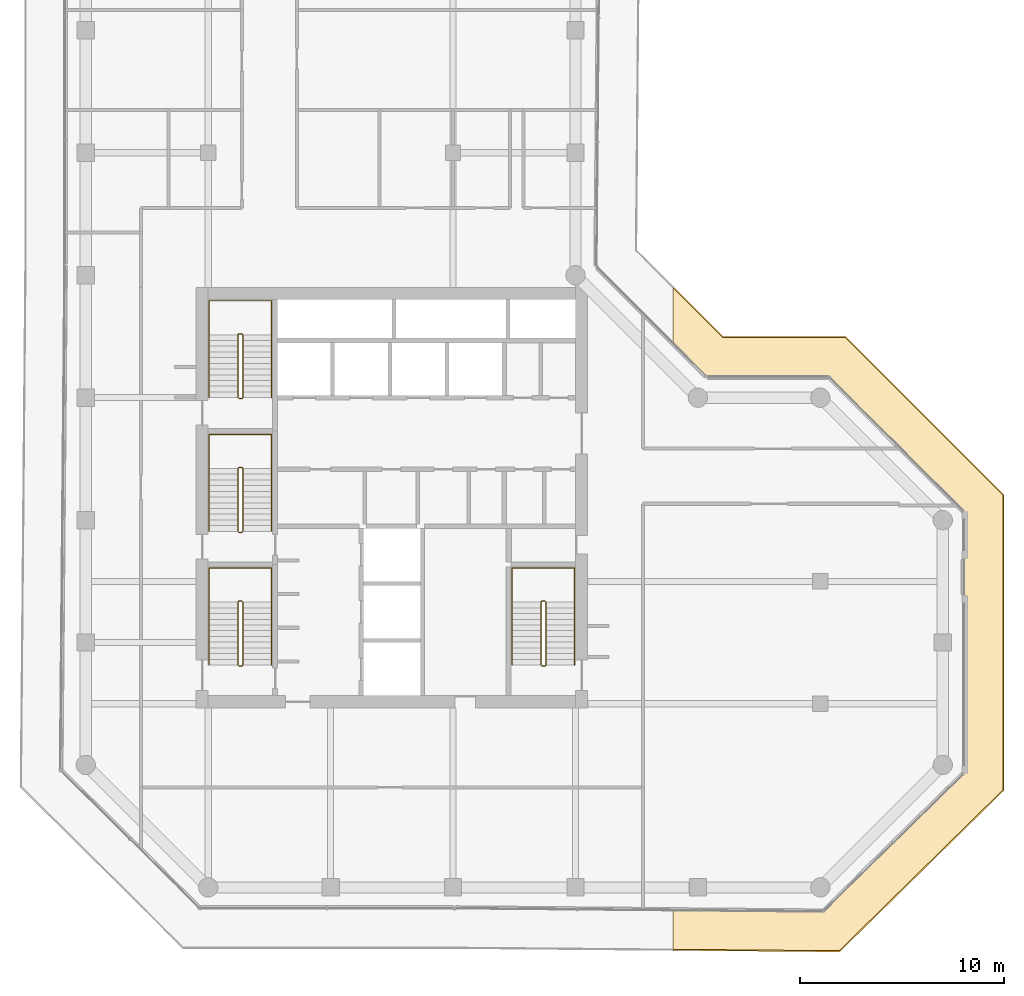
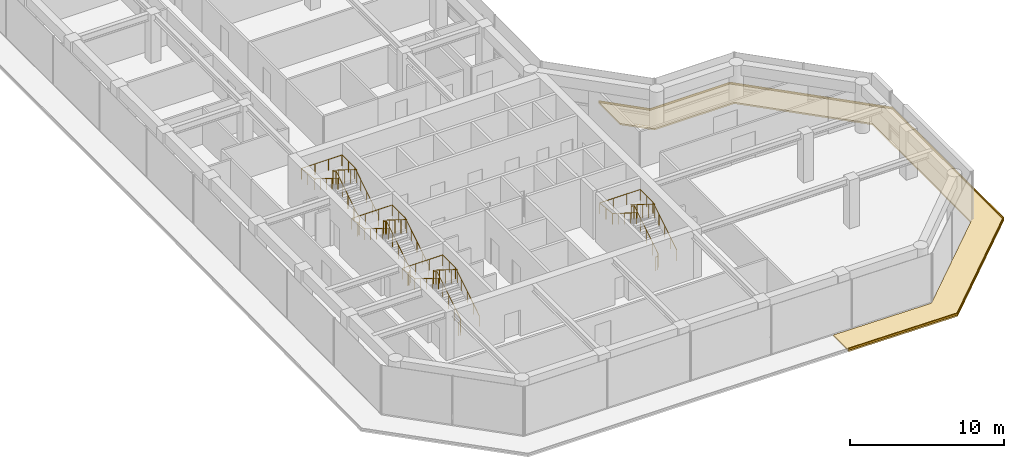
# One storey, part 18 of 19: 8 railings, 2 coverings.
"""IFC4 building model written with IfcOpenShell, lengths in metres."""

from ifc_helpers import new_model, si_unit, direction, frame, origin, origin_2d, place, context, subcontext, project, spatial, polyline, circle, outline, extrude, material, layer, layer_set, type_object, element, save


model = new_model("IFC4")

# Units and contexts
model_context = context("Model", 3, precision=1e-05, world=origin(), true_north=direction((0.0, 1.0)))
body_context = subcontext(model_context, "Body", "Model", "MODEL_VIEW")
ifc_project = project(units=[si_unit("LENGTHUNIT", "METRE"), si_unit("AREAUNIT", "SQUARE_METRE"), si_unit("VOLUMEUNIT", "CUBIC_METRE"), si_unit("PLANEANGLEUNIT", "RADIAN"), si_unit("MASSUNIT", "GRAM", prefix="KILO")], contexts=[model_context])

# Site, building, storey
site_placement = place(None, origin())
site = spatial("IfcSite", under=ifc_project, at=site_placement, CompositionType="ELEMENT")
building_placement = place(site_placement, origin())
building = spatial("IfcBuilding", under=site, at=building_placement, Name="Welwitschia Terrace Campus", CompositionType="ELEMENT")
storey_placement = place(building_placement, frame((0.0, 0.0, 167.60009765625)))
storey = spatial("IfcBuildingStorey", under=building, at=storey_placement, Name="L37", CompositionType="ELEMENT", Elevation=167.60009765625)

# Railings
ifc_material_1 = material(Name="Steel S355", Category="steel")
railing_type_1 = type_object("IfcRailingType", Name="Stair guard 1100", PredefinedType="GUARDRAIL", material=ifc_material_1)
railing_1_placement = place(storey_placement, frame((7.5, 6.85009765625, 0.0)))
element("IfcRailing", 1, at=railing_1_placement, inside=storey, type_object=railing_type_1, Name="L37 S1 stair guard", PredefinedType="GUARDRAIL", context=body_context, shape_type="SweptSolid", body=[
    extrude(circle(Radius=0.02392578125, at=origin_2d()), frame((0.0, 0.0, 1.076171875), z_axis=(1.0, 0.0, 0.0), x_axis=(0.0, 1.0, 0.0)), (0.0, 0.0, 1.0), 0.14990234375),
    extrude(circle(Radius=0.02392578125, at=origin_2d()), frame((0.14990234375, 0.0, 1.076171875), z_axis=(0.265474339444, 0.264179342666, 0.927217692888), x_axis=(-0.705375805398, 0.708833529934, 0.0)), (0.0, 0.0, 1.0), 0.1884765625),
    extrude(circle(Radius=0.02392578125, at=origin_2d()), frame((0.199951171875, 0.0498046875, 1.2509765625), z_axis=(0.0, 0.847998304005, 0.529998940003), x_axis=(-1.0, 0.0, 0.0)), (0.0, 0.0, 1.0), 3.632080078125),
    extrude(circle(Radius=0.02392578125, at=origin_2d()), frame((0.199951171875, 3.1298828125, 3.17578125), z_axis=(-0.707106781187, 0.707106781187, 0.0), x_axis=(-0.707106781187, -0.707106781187, 0.0)), (0.0, 0.0, 1.0), 0.07080078125),
    extrude(circle(Radius=0.02392578125, at=origin_2d()), frame((0.14990234375, 3.179931640625, 3.17578125), z_axis=(-1.0, 0.0, 0.0), x_axis=(0.0, -1.0, 0.0)), (0.0, 0.0, 1.0), 0.14990234375),
    extrude(circle(Radius=0.02392578125, at=origin_2d()), frame((0.0, 3.179931640625, 3.17578125), z_axis=(-0.265065253269, -0.265065253269, 0.927081885822), x_axis=(0.707106781187, -0.707106781187, 0.0)), (0.0, 0.0, 1.0), 0.188720703125),
    extrude(circle(Radius=0.02392578125, at=origin_2d()), frame((-0.050048828125, 3.1298828125, 3.35107421875), z_axis=(0.0, -0.847998304005, 0.529998940003), x_axis=(1.0, 0.0, 0.0)), (0.0, 0.0, 1.0), 3.632080078125),
    extrude(circle(Radius=0.02099609375, at=origin_2d()), origin(), (0.0, 0.0, 1.0), 1.052001953125),
    extrude(circle(Radius=0.02099609375, at=origin_2d()), frame((0.14990234375, 0.0, 0.0)), (0.0, 0.0, 1.0), 1.052001953125),
    extrude(circle(Radius=0.02099609375, at=origin_2d()), frame((0.199951171875, 0.0498046875, 0.1748046875)), (0.0, 0.0, 1.0), 1.052001953125),
    extrude(circle(Radius=0.02099609375, at=origin_2d()), frame((0.199951171875, 0.81982421875, 0.656005859375)), (0.0, 0.0, 1.0), 1.052001953125),
    extrude(circle(Radius=0.02099609375, at=origin_2d()), frame((0.199951171875, 1.58984375, 1.13720703125)), (0.0, 0.0, 1.0), 1.052001953125),
    extrude(circle(Radius=0.02099609375, at=origin_2d()), frame((0.199951171875, 2.35986328125, 1.61865234375)), (0.0, 0.0, 1.0), 1.052001953125),
    extrude(circle(Radius=0.02099609375, at=origin_2d()), frame((0.199951171875, 3.1298828125, 2.099853515625)), (0.0, 0.0, 1.0), 1.052001953125),
    extrude(circle(Radius=0.02099609375, at=origin_2d()), frame((0.14990234375, 3.179931640625, 2.099853515625)), (0.0, 0.0, 1.0), 1.052001953125),
    extrude(circle(Radius=0.02099609375, at=origin_2d()), frame((0.0, 3.179931640625, 2.099853515625)), (0.0, 0.0, 1.0), 1.052001953125),
    extrude(circle(Radius=0.02099609375, at=origin_2d()), frame((-0.050048828125, 3.1298828125, 2.27490234375)), (0.0, 0.0, 1.0), 1.052001953125),
    extrude(circle(Radius=0.02099609375, at=origin_2d()), frame((-0.050048828125, 2.35986328125, 2.756103515625)), (0.0, 0.0, 1.0), 1.052001953125),
    extrude(circle(Radius=0.02099609375, at=origin_2d()), frame((-0.050048828125, 1.58984375, 3.2373046875)), (0.0, 0.0, 1.0), 1.052001953125),
    extrude(circle(Radius=0.02099609375, at=origin_2d()), frame((-0.050048828125, 0.81982421875, 3.71875)), (0.0, 0.0, 1.0), 1.052001953125),
    extrude(circle(Radius=0.02099609375, at=origin_2d()), frame((-0.050048828125, 0.0498046875, 4.199951171875)), (0.0, 0.0, 1.0), 1.052001953125),
])
railing_2_placement = place(storey_placement, frame((7.5, 13.39990234375, 0.0)))
element("IfcRailing", 2, at=railing_2_placement, inside=storey, type_object=railing_type_1, Name="L37 S3 stair guard", PredefinedType="GUARDRAIL", context=body_context, shape_type="SweptSolid", body=[
    extrude(circle(Radius=0.02392578125, at=origin_2d()), frame((0.0, 0.0, 1.076171875), z_axis=(1.0, 0.0, 0.0), x_axis=(0.0, 1.0, 0.0)), (0.0, 0.0, 1.0), 0.14990234375),
    extrude(circle(Radius=0.02392578125, at=origin_2d()), frame((0.14990234375, 0.0, 1.076171875), z_axis=(0.265383341853, 0.265383341853, 0.926899867156), x_axis=(-0.707106781187, 0.707106781187, 0.0)), (0.0, 0.0, 1.0), 0.1884765625),
    extrude(circle(Radius=0.02392578125, at=origin_2d()), frame((0.199951171875, 0.050048828125, 1.2509765625), z_axis=(0.0, 0.847998304005, 0.529998940003), x_axis=(-1.0, 0.0, 0.0)), (0.0, 0.0, 1.0), 3.632080078125),
    extrude(circle(Radius=0.02392578125, at=origin_2d()), frame((0.199951171875, 3.130126953125, 3.17578125), z_axis=(-0.707106781187, 0.707106781187, 0.0), x_axis=(-0.707106781187, -0.707106781187, 0.0)), (0.0, 0.0, 1.0), 0.07080078125),
    extrude(circle(Radius=0.02392578125, at=origin_2d()), frame((0.14990234375, 3.18017578125, 3.17578125), z_axis=(-1.0, 0.0, 0.0), x_axis=(0.0, -1.0, 0.0)), (0.0, 0.0, 1.0), 0.14990234375),
    extrude(circle(Radius=0.02392578125, at=origin_2d()), frame((0.0, 3.18017578125, 3.17578125), z_axis=(-0.265065253269, -0.265065253269, 0.927081885822), x_axis=(0.707106781187, -0.707106781187, 0.0)), (0.0, 0.0, 1.0), 0.188720703125),
    extrude(circle(Radius=0.02392578125, at=origin_2d()), frame((-0.050048828125, 3.130126953125, 3.35107421875), z_axis=(0.0, -0.847998304005, 0.529998940003), x_axis=(1.0, 0.0, 0.0)), (0.0, 0.0, 1.0), 3.632080078125),
    extrude(circle(Radius=0.02099609375, at=origin_2d()), origin(), (0.0, 0.0, 1.0), 1.052001953125),
    extrude(circle(Radius=0.02099609375, at=origin_2d()), frame((0.14990234375, 0.0, 0.0)), (0.0, 0.0, 1.0), 1.052001953125),
    extrude(circle(Radius=0.02099609375, at=origin_2d()), frame((0.199951171875, 0.050048828125, 0.1748046875)), (0.0, 0.0, 1.0), 1.052001953125),
    extrude(circle(Radius=0.02099609375, at=origin_2d()), frame((0.199951171875, 0.820068359375, 0.656005859375)), (0.0, 0.0, 1.0), 1.052001953125),
    extrude(circle(Radius=0.02099609375, at=origin_2d()), frame((0.199951171875, 1.590087890625, 1.13720703125)), (0.0, 0.0, 1.0), 1.052001953125),
    extrude(circle(Radius=0.02099609375, at=origin_2d()), frame((0.199951171875, 2.360107421875, 1.61865234375)), (0.0, 0.0, 1.0), 1.052001953125),
    extrude(circle(Radius=0.02099609375, at=origin_2d()), frame((0.199951171875, 3.130126953125, 2.099853515625)), (0.0, 0.0, 1.0), 1.052001953125),
    extrude(circle(Radius=0.02099609375, at=origin_2d()), frame((0.14990234375, 3.18017578125, 2.099853515625)), (0.0, 0.0, 1.0), 1.052001953125),
    extrude(circle(Radius=0.02099609375, at=origin_2d()), frame((0.0, 3.18017578125, 2.099853515625)), (0.0, 0.0, 1.0), 1.052001953125),
    extrude(circle(Radius=0.02099609375, at=origin_2d()), frame((-0.050048828125, 3.130126953125, 2.27490234375)), (0.0, 0.0, 1.0), 1.052001953125),
    extrude(circle(Radius=0.02099609375, at=origin_2d()), frame((-0.050048828125, 2.360107421875, 2.756103515625)), (0.0, 0.0, 1.0), 1.052001953125),
    extrude(circle(Radius=0.02099609375, at=origin_2d()), frame((-0.050048828125, 1.590087890625, 3.2373046875)), (0.0, 0.0, 1.0), 1.052001953125),
    extrude(circle(Radius=0.02099609375, at=origin_2d()), frame((-0.050048828125, 0.820068359375, 3.71875)), (0.0, 0.0, 1.0), 1.052001953125),
    extrude(circle(Radius=0.02099609375, at=origin_2d()), frame((-0.050048828125, 0.050048828125, 4.199951171875)), (0.0, 0.0, 1.0), 1.052001953125),
])
railing_3_placement = place(storey_placement, frame((7.5, 19.949951171875, 0.0)))
element("IfcRailing", 3, at=railing_3_placement, inside=storey, type_object=railing_type_1, Name="L37 S4 stair guard", PredefinedType="GUARDRAIL", context=body_context, shape_type="SweptSolid", body=[
    extrude(circle(Radius=0.02392578125, at=origin_2d()), frame((0.0, 0.0, 1.076171875), z_axis=(1.0, 0.0, 0.0), x_axis=(0.0, 1.0, 0.0)), (0.0, 0.0, 1.0), 0.14990234375),
    extrude(circle(Radius=0.02392578125, at=origin_2d()), frame((0.14990234375, 0.0, 1.076171875), z_axis=(0.265383341853, 0.265383341853, 0.926899867156), x_axis=(-0.707106781187, 0.707106781187, 0.0)), (0.0, 0.0, 1.0), 0.1884765625),
    extrude(circle(Radius=0.02392578125, at=origin_2d()), frame((0.199951171875, 0.050048828125, 1.2509765625), z_axis=(0.0, 0.847998304005, 0.529998940003), x_axis=(-1.0, 0.0, 0.0)), (0.0, 0.0, 1.0), 3.632080078125),
    extrude(circle(Radius=0.02392578125, at=origin_2d()), frame((0.199951171875, 3.130126953125, 3.17578125), z_axis=(-0.708833529934, 0.705375805398, 0.0), x_axis=(-0.705375805398, -0.708833529934, 0.0)), (0.0, 0.0, 1.0), 0.070556640625),
    extrude(circle(Radius=0.02392578125, at=origin_2d()), frame((0.14990234375, 3.179931640625, 3.17578125), z_axis=(-1.0, 0.0, 0.0), x_axis=(0.0, -1.0, 0.0)), (0.0, 0.0, 1.0), 0.14990234375),
    extrude(circle(Radius=0.02392578125, at=origin_2d()), frame((0.0, 3.179931640625, 3.17578125), z_axis=(-0.265155923931, -0.263862480399, 0.927399011991), x_axis=(0.705375805398, -0.708833529934, 0.0)), (0.0, 0.0, 1.0), 0.188720703125),
    extrude(circle(Radius=0.02392578125, at=origin_2d()), frame((-0.050048828125, 3.130126953125, 3.35107421875), z_axis=(0.0, -0.847998304005, 0.529998940003), x_axis=(1.0, 0.0, 0.0)), (0.0, 0.0, 1.0), 3.632080078125),
    extrude(circle(Radius=0.02099609375, at=origin_2d()), origin(), (0.0, 0.0, 1.0), 1.052001953125),
    extrude(circle(Radius=0.02099609375, at=origin_2d()), frame((0.14990234375, 0.0, 0.0)), (0.0, 0.0, 1.0), 1.052001953125),
    extrude(circle(Radius=0.02099609375, at=origin_2d()), frame((0.199951171875, 0.050048828125, 0.1748046875)), (0.0, 0.0, 1.0), 1.052001953125),
    extrude(circle(Radius=0.02099609375, at=origin_2d()), frame((0.199951171875, 0.820068359375, 0.656005859375)), (0.0, 0.0, 1.0), 1.052001953125),
    extrude(circle(Radius=0.02099609375, at=origin_2d()), frame((0.199951171875, 1.590087890625, 1.13720703125)), (0.0, 0.0, 1.0), 1.052001953125),
    extrude(circle(Radius=0.02099609375, at=origin_2d()), frame((0.199951171875, 2.360107421875, 1.61865234375)), (0.0, 0.0, 1.0), 1.052001953125),
    extrude(circle(Radius=0.02099609375, at=origin_2d()), frame((0.199951171875, 3.130126953125, 2.099853515625)), (0.0, 0.0, 1.0), 1.052001953125),
    extrude(circle(Radius=0.02099609375, at=origin_2d()), frame((0.14990234375, 3.179931640625, 2.099853515625)), (0.0, 0.0, 1.0), 1.052001953125),
    extrude(circle(Radius=0.02099609375, at=origin_2d()), frame((0.0, 3.179931640625, 2.099853515625)), (0.0, 0.0, 1.0), 1.052001953125),
    extrude(circle(Radius=0.02099609375, at=origin_2d()), frame((-0.050048828125, 3.130126953125, 2.27490234375)), (0.0, 0.0, 1.0), 1.052001953125),
    extrude(circle(Radius=0.02099609375, at=origin_2d()), frame((-0.050048828125, 2.360107421875, 2.756103515625)), (0.0, 0.0, 1.0), 1.052001953125),
    extrude(circle(Radius=0.02099609375, at=origin_2d()), frame((-0.050048828125, 1.590087890625, 3.2373046875)), (0.0, 0.0, 1.0), 1.052001953125),
    extrude(circle(Radius=0.02099609375, at=origin_2d()), frame((-0.050048828125, 0.820068359375, 3.71875)), (0.0, 0.0, 1.0), 1.052001953125),
    extrude(circle(Radius=0.02099609375, at=origin_2d()), frame((-0.050048828125, 0.050048828125, 4.199951171875)), (0.0, 0.0, 1.0), 1.052001953125),
])
railing_4_placement = place(storey_placement, frame((22.35009765625, 6.85009765625, 0.0)))
element("IfcRailing", 4, at=railing_4_placement, inside=storey, type_object=railing_type_1, Name="L37 S2 stair guard", PredefinedType="GUARDRAIL", context=body_context, shape_type="SweptSolid", body=[
    extrude(circle(Radius=0.02392578125, at=origin_2d()), frame((0.0, 0.0, 1.076171875), z_axis=(1.0, 0.0, 0.0), x_axis=(0.0, 1.0, 0.0)), (0.0, 0.0, 1.0), 0.14990234375),
    extrude(circle(Radius=0.02392578125, at=origin_2d()), frame((0.14990234375, 0.0, 1.076171875), z_axis=(0.265474339444, 0.264179342666, 0.927217692888), x_axis=(-0.705375805398, 0.708833529934, 0.0)), (0.0, 0.0, 1.0), 0.1884765625),
    extrude(circle(Radius=0.02392578125, at=origin_2d()), frame((0.199951171875, 0.0498046875, 1.2509765625), z_axis=(0.0, 0.847998304005, 0.529998940003), x_axis=(-1.0, 0.0, 0.0)), (0.0, 0.0, 1.0), 3.632080078125),
    extrude(circle(Radius=0.02392578125, at=origin_2d()), frame((0.199951171875, 3.1298828125, 3.17578125), z_axis=(-0.707106781187, 0.707106781187, 0.0), x_axis=(-0.707106781187, -0.707106781187, 0.0)), (0.0, 0.0, 1.0), 0.07080078125),
    extrude(circle(Radius=0.02392578125, at=origin_2d()), frame((0.14990234375, 3.179931640625, 3.17578125), z_axis=(-1.0, 0.0, 0.0), x_axis=(0.0, -1.0, 0.0)), (0.0, 0.0, 1.0), 0.14990234375),
    extrude(circle(Radius=0.02392578125, at=origin_2d()), frame((0.0, 3.179931640625, 3.17578125), z_axis=(-0.265065253269, -0.265065253269, 0.927081885822), x_axis=(0.707106781187, -0.707106781187, 0.0)), (0.0, 0.0, 1.0), 0.188720703125),
    extrude(circle(Radius=0.02392578125, at=origin_2d()), frame((-0.050048828125, 3.1298828125, 3.35107421875), z_axis=(0.0, -0.847998304005, 0.529998940003), x_axis=(1.0, 0.0, 0.0)), (0.0, 0.0, 1.0), 3.632080078125),
    extrude(circle(Radius=0.02099609375, at=origin_2d()), origin(), (0.0, 0.0, 1.0), 1.052001953125),
    extrude(circle(Radius=0.02099609375, at=origin_2d()), frame((0.14990234375, 0.0, 0.0)), (0.0, 0.0, 1.0), 1.052001953125),
    extrude(circle(Radius=0.02099609375, at=origin_2d()), frame((0.199951171875, 0.0498046875, 0.1748046875)), (0.0, 0.0, 1.0), 1.052001953125),
    extrude(circle(Radius=0.02099609375, at=origin_2d()), frame((0.199951171875, 0.81982421875, 0.656005859375)), (0.0, 0.0, 1.0), 1.052001953125),
    extrude(circle(Radius=0.02099609375, at=origin_2d()), frame((0.199951171875, 1.58984375, 1.13720703125)), (0.0, 0.0, 1.0), 1.052001953125),
    extrude(circle(Radius=0.02099609375, at=origin_2d()), frame((0.199951171875, 2.35986328125, 1.61865234375)), (0.0, 0.0, 1.0), 1.052001953125),
    extrude(circle(Radius=0.02099609375, at=origin_2d()), frame((0.199951171875, 3.1298828125, 2.099853515625)), (0.0, 0.0, 1.0), 1.052001953125),
    extrude(circle(Radius=0.02099609375, at=origin_2d()), frame((0.14990234375, 3.179931640625, 2.099853515625)), (0.0, 0.0, 1.0), 1.052001953125),
    extrude(circle(Radius=0.02099609375, at=origin_2d()), frame((0.0, 3.179931640625, 2.099853515625)), (0.0, 0.0, 1.0), 1.052001953125),
    extrude(circle(Radius=0.02099609375, at=origin_2d()), frame((-0.050048828125, 3.1298828125, 2.27490234375)), (0.0, 0.0, 1.0), 1.052001953125),
    extrude(circle(Radius=0.02099609375, at=origin_2d()), frame((-0.050048828125, 2.35986328125, 2.756103515625)), (0.0, 0.0, 1.0), 1.052001953125),
    extrude(circle(Radius=0.02099609375, at=origin_2d()), frame((-0.050048828125, 1.58984375, 3.2373046875)), (0.0, 0.0, 1.0), 1.052001953125),
    extrude(circle(Radius=0.02099609375, at=origin_2d()), frame((-0.050048828125, 0.81982421875, 3.71875)), (0.0, 0.0, 1.0), 1.052001953125),
    extrude(circle(Radius=0.02099609375, at=origin_2d()), frame((-0.050048828125, 0.0498046875, 4.199951171875)), (0.0, 0.0, 1.0), 1.052001953125),
])
ifc_material_2 = material(Name="Steel S355", Category="steel")
railing_type_2 = type_object("IfcRailingType", Name="Stair handrail 900", PredefinedType="HANDRAIL", material=ifc_material_2)
railing_5_placement = place(storey_placement, frame((9.10009765625, 6.89990234375, 0.1748046875)))
element("IfcRailing", 5, at=railing_5_placement, inside=storey, type_object=railing_type_2, Name="L37 S1 stair handrail", PredefinedType="HANDRAIL", context=body_context, shape_type="SweptSolid", body=[
    extrude(circle(Radius=0.02392578125, at=origin_2d()), frame((0.0, 0.0, 0.8759765625), z_axis=(0.0, 0.847998304005, 0.529998940003), x_axis=(-1.0, 0.0, 0.0)), (0.0, 0.0, 1.0), 3.632080078125),
    extrude(circle(Radius=0.02392578125, at=origin_2d()), frame((0.0, 3.080078125, 2.80078125), z_axis=(0.0, 1.0, 0.0), x_axis=(-1.0, 0.0, 0.0)), (0.0, 0.0, 1.0), 1.669921875),
    extrude(circle(Radius=0.02392578125, at=origin_2d()), frame((0.0, 4.75, 2.80078125), z_axis=(-1.0, 0.0, 0.0), x_axis=(0.0, -1.0, 0.0)), (0.0, 0.0, 1.0), 3.050048828125),
    extrude(circle(Radius=0.02392578125, at=origin_2d()), frame((-3.050048828125, 4.75, 2.80078125), z_axis=(0.0, -0.99455077262, 0.104253348533), x_axis=(1.0, 0.0, 0.0)), (0.0, 0.0, 1.0), 1.678955078125),
    extrude(circle(Radius=0.02392578125, at=origin_2d()), frame((-3.050048828125, 3.080078125, 2.97607421875), z_axis=(0.0, -0.847998304005, 0.529998940003), x_axis=(1.0, 0.0, 0.0)), (0.0, 0.0, 1.0), 3.632080078125),
    extrude(circle(Radius=0.02099609375, at=origin_2d()), origin(), (0.0, 0.0, 1.0), 0.851806640625),
    extrude(circle(Radius=0.02099609375, at=origin_2d()), frame((0.0, 0.77001953125, 0.481201171875)), (0.0, 0.0, 1.0), 0.851806640625),
    extrude(circle(Radius=0.02099609375, at=origin_2d()), frame((0.0, 1.5400390625, 0.96240234375)), (0.0, 0.0, 1.0), 0.851806640625),
    extrude(circle(Radius=0.02099609375, at=origin_2d()), frame((0.0, 2.31005859375, 1.44384765625)), (0.0, 0.0, 1.0), 0.851806640625),
    extrude(circle(Radius=0.02099609375, at=origin_2d()), frame((0.0, 3.080078125, 1.925048828125)), (0.0, 0.0, 1.0), 0.851806640625),
    extrude(circle(Radius=0.02099609375, at=origin_2d()), frame((0.0, 3.9150390625, 1.925048828125)), (0.0, 0.0, 1.0), 0.851806640625),
    extrude(circle(Radius=0.02099609375, at=origin_2d()), frame((0.0, 4.75, 1.925048828125)), (0.0, 0.0, 1.0), 0.851806640625),
    extrude(circle(Radius=0.02099609375, at=origin_2d()), frame((-1.0166015625, 4.75, 1.925048828125)), (0.0, 0.0, 1.0), 0.851806640625),
    extrude(circle(Radius=0.02099609375, at=origin_2d()), frame((-2.033447265625, 4.75, 1.925048828125)), (0.0, 0.0, 1.0), 0.851806640625),
    extrude(circle(Radius=0.02099609375, at=origin_2d()), frame((-3.050048828125, 4.75, 1.925048828125)), (0.0, 0.0, 1.0), 0.851806640625),
    extrude(circle(Radius=0.02099609375, at=origin_2d()), frame((-3.050048828125, 3.9150390625, 2.0126953125)), (0.0, 0.0, 1.0), 0.851806640625),
    extrude(circle(Radius=0.02099609375, at=origin_2d()), frame((-3.050048828125, 3.080078125, 2.10009765625)), (0.0, 0.0, 1.0), 0.851806640625),
    extrude(circle(Radius=0.02099609375, at=origin_2d()), frame((-3.050048828125, 2.31005859375, 2.581298828125)), (0.0, 0.0, 1.0), 0.851806640625),
    extrude(circle(Radius=0.02099609375, at=origin_2d()), frame((-3.050048828125, 1.5400390625, 3.0625)), (0.0, 0.0, 1.0), 0.851806640625),
    extrude(circle(Radius=0.02099609375, at=origin_2d()), frame((-3.050048828125, 0.77001953125, 3.5439453125)), (0.0, 0.0, 1.0), 0.851806640625),
    extrude(circle(Radius=0.02099609375, at=origin_2d()), frame((-3.050048828125, 0.0, 4.025146484375)), (0.0, 0.0, 1.0), 0.851806640625),
])
railing_6_placement = place(storey_placement, frame((9.10009765625, 13.449951171875, 0.1748046875)))
element("IfcRailing", 6, at=railing_6_placement, inside=storey, type_object=railing_type_2, Name="L37 S3 stair handrail", PredefinedType="HANDRAIL", context=body_context, shape_type="SweptSolid", body=[
    extrude(circle(Radius=0.02392578125, at=origin_2d()), frame((0.0, 0.0, 0.8759765625), z_axis=(0.0, 0.847998304005, 0.529998940003), x_axis=(-1.0, 0.0, 0.0)), (0.0, 0.0, 1.0), 3.632080078125),
    extrude(circle(Radius=0.02392578125, at=origin_2d()), frame((0.0, 3.080078125, 2.80078125), z_axis=(0.0, 1.0, 0.0), x_axis=(-1.0, 0.0, 0.0)), (0.0, 0.0, 1.0), 1.669921875),
    extrude(circle(Radius=0.02392578125, at=origin_2d()), frame((0.0, 4.75, 2.80078125), z_axis=(-1.0, 0.0, 0.0), x_axis=(0.0, -1.0, 0.0)), (0.0, 0.0, 1.0), 3.050048828125),
    extrude(circle(Radius=0.02392578125, at=origin_2d()), frame((-3.050048828125, 4.75, 2.80078125), z_axis=(0.0, -0.99455077262, 0.104253348533), x_axis=(1.0, 0.0, 0.0)), (0.0, 0.0, 1.0), 1.678955078125),
    extrude(circle(Radius=0.02392578125, at=origin_2d()), frame((-3.050048828125, 3.080078125, 2.97607421875), z_axis=(0.0, -0.847998304005, 0.529998940003), x_axis=(1.0, 0.0, 0.0)), (0.0, 0.0, 1.0), 3.632080078125),
    extrude(circle(Radius=0.02099609375, at=origin_2d()), origin(), (0.0, 0.0, 1.0), 0.851806640625),
    extrude(circle(Radius=0.02099609375, at=origin_2d()), frame((0.0, 0.77001953125, 0.481201171875)), (0.0, 0.0, 1.0), 0.851806640625),
    extrude(circle(Radius=0.02099609375, at=origin_2d()), frame((0.0, 1.5400390625, 0.96240234375)), (0.0, 0.0, 1.0), 0.851806640625),
    extrude(circle(Radius=0.02099609375, at=origin_2d()), frame((0.0, 2.31005859375, 1.44384765625)), (0.0, 0.0, 1.0), 0.851806640625),
    extrude(circle(Radius=0.02099609375, at=origin_2d()), frame((0.0, 3.080078125, 1.925048828125)), (0.0, 0.0, 1.0), 0.851806640625),
    extrude(circle(Radius=0.02099609375, at=origin_2d()), frame((0.0, 3.9150390625, 1.925048828125)), (0.0, 0.0, 1.0), 0.851806640625),
    extrude(circle(Radius=0.02099609375, at=origin_2d()), frame((0.0, 4.75, 1.925048828125)), (0.0, 0.0, 1.0), 0.851806640625),
    extrude(circle(Radius=0.02099609375, at=origin_2d()), frame((-1.0166015625, 4.75, 1.925048828125)), (0.0, 0.0, 1.0), 0.851806640625),
    extrude(circle(Radius=0.02099609375, at=origin_2d()), frame((-2.033447265625, 4.75, 1.925048828125)), (0.0, 0.0, 1.0), 0.851806640625),
    extrude(circle(Radius=0.02099609375, at=origin_2d()), frame((-3.050048828125, 4.75, 1.925048828125)), (0.0, 0.0, 1.0), 0.851806640625),
    extrude(circle(Radius=0.02099609375, at=origin_2d()), frame((-3.050048828125, 3.9150390625, 2.0126953125)), (0.0, 0.0, 1.0), 0.851806640625),
    extrude(circle(Radius=0.02099609375, at=origin_2d()), frame((-3.050048828125, 3.080078125, 2.10009765625)), (0.0, 0.0, 1.0), 0.851806640625),
    extrude(circle(Radius=0.02099609375, at=origin_2d()), frame((-3.050048828125, 2.31005859375, 2.581298828125)), (0.0, 0.0, 1.0), 0.851806640625),
    extrude(circle(Radius=0.02099609375, at=origin_2d()), frame((-3.050048828125, 1.5400390625, 3.0625)), (0.0, 0.0, 1.0), 0.851806640625),
    extrude(circle(Radius=0.02099609375, at=origin_2d()), frame((-3.050048828125, 0.77001953125, 3.5439453125)), (0.0, 0.0, 1.0), 0.851806640625),
    extrude(circle(Radius=0.02099609375, at=origin_2d()), frame((-3.050048828125, 0.0, 4.025146484375)), (0.0, 0.0, 1.0), 0.851806640625),
])
railing_7_placement = place(storey_placement, frame((9.10009765625, 20.0, 0.1748046875)))
element("IfcRailing", 7, at=railing_7_placement, inside=storey, type_object=railing_type_2, Name="L37 S4 stair handrail", PredefinedType="HANDRAIL", context=body_context, shape_type="SweptSolid", body=[
    extrude(circle(Radius=0.02392578125, at=origin_2d()), frame((0.0, 0.0, 0.8759765625), z_axis=(0.0, 0.847998304005, 0.529998940003), x_axis=(-1.0, 0.0, 0.0)), (0.0, 0.0, 1.0), 3.632080078125),
    extrude(circle(Radius=0.02392578125, at=origin_2d()), frame((0.0, 3.080078125, 2.80078125), z_axis=(0.0, 1.0, 0.0), x_axis=(-1.0, 0.0, 0.0)), (0.0, 0.0, 1.0), 1.669921875),
    extrude(circle(Radius=0.02392578125, at=origin_2d()), frame((0.0, 4.75, 2.80078125), z_axis=(-1.0, 0.0, 0.0), x_axis=(0.0, -1.0, 0.0)), (0.0, 0.0, 1.0), 3.050048828125),
    extrude(circle(Radius=0.02392578125, at=origin_2d()), frame((-3.050048828125, 4.75, 2.80078125), z_axis=(0.0, -0.99455077262, 0.104253348533), x_axis=(1.0, 0.0, 0.0)), (0.0, 0.0, 1.0), 1.678955078125),
    extrude(circle(Radius=0.02392578125, at=origin_2d()), frame((-3.050048828125, 3.080078125, 2.97607421875), z_axis=(0.0, -0.847998304005, 0.529998940003), x_axis=(1.0, 0.0, 0.0)), (0.0, 0.0, 1.0), 3.632080078125),
    extrude(circle(Radius=0.02099609375, at=origin_2d()), origin(), (0.0, 0.0, 1.0), 0.851806640625),
    extrude(circle(Radius=0.02099609375, at=origin_2d()), frame((0.0, 0.77001953125, 0.481201171875)), (0.0, 0.0, 1.0), 0.851806640625),
    extrude(circle(Radius=0.02099609375, at=origin_2d()), frame((0.0, 1.5400390625, 0.96240234375)), (0.0, 0.0, 1.0), 0.851806640625),
    extrude(circle(Radius=0.02099609375, at=origin_2d()), frame((0.0, 2.31005859375, 1.44384765625)), (0.0, 0.0, 1.0), 0.851806640625),
    extrude(circle(Radius=0.02099609375, at=origin_2d()), frame((0.0, 3.080078125, 1.925048828125)), (0.0, 0.0, 1.0), 0.851806640625),
    extrude(circle(Radius=0.02099609375, at=origin_2d()), frame((0.0, 3.9150390625, 1.925048828125)), (0.0, 0.0, 1.0), 0.851806640625),
    extrude(circle(Radius=0.02099609375, at=origin_2d()), frame((0.0, 4.75, 1.925048828125)), (0.0, 0.0, 1.0), 0.851806640625),
    extrude(circle(Radius=0.02099609375, at=origin_2d()), frame((-1.0166015625, 4.75, 1.925048828125)), (0.0, 0.0, 1.0), 0.851806640625),
    extrude(circle(Radius=0.02099609375, at=origin_2d()), frame((-2.033447265625, 4.75, 1.925048828125)), (0.0, 0.0, 1.0), 0.851806640625),
    extrude(circle(Radius=0.02099609375, at=origin_2d()), frame((-3.050048828125, 4.75, 1.925048828125)), (0.0, 0.0, 1.0), 0.851806640625),
    extrude(circle(Radius=0.02099609375, at=origin_2d()), frame((-3.050048828125, 3.9150390625, 2.0126953125)), (0.0, 0.0, 1.0), 0.851806640625),
    extrude(circle(Radius=0.02099609375, at=origin_2d()), frame((-3.050048828125, 3.080078125, 2.10009765625)), (0.0, 0.0, 1.0), 0.851806640625),
    extrude(circle(Radius=0.02099609375, at=origin_2d()), frame((-3.050048828125, 2.31005859375, 2.581298828125)), (0.0, 0.0, 1.0), 0.851806640625),
    extrude(circle(Radius=0.02099609375, at=origin_2d()), frame((-3.050048828125, 1.5400390625, 3.0625)), (0.0, 0.0, 1.0), 0.851806640625),
    extrude(circle(Radius=0.02099609375, at=origin_2d()), frame((-3.050048828125, 0.77001953125, 3.5439453125)), (0.0, 0.0, 1.0), 0.851806640625),
    extrude(circle(Radius=0.02099609375, at=origin_2d()), frame((-3.050048828125, 0.0, 4.025146484375)), (0.0, 0.0, 1.0), 0.851806640625),
])
railing_8_placement = place(storey_placement, frame((23.949951171875, 6.89990234375, 0.1748046875)))
element("IfcRailing", 8, at=railing_8_placement, inside=storey, type_object=railing_type_2, Name="L37 S2 stair handrail", PredefinedType="HANDRAIL", context=body_context, shape_type="SweptSolid", body=[
    extrude(circle(Radius=0.02392578125, at=origin_2d()), frame((0.0, 0.0, 0.8759765625), z_axis=(0.0, 0.847998304005, 0.529998940003), x_axis=(-1.0, 0.0, 0.0)), (0.0, 0.0, 1.0), 3.632080078125),
    extrude(circle(Radius=0.02392578125, at=origin_2d()), frame((0.0, 3.080078125, 2.80078125), z_axis=(0.0, 1.0, 0.0), x_axis=(-1.0, 0.0, 0.0)), (0.0, 0.0, 1.0), 1.669921875),
    extrude(circle(Radius=0.02392578125, at=origin_2d()), frame((0.0, 4.75, 2.80078125), z_axis=(-1.0, 0.0, 0.0), x_axis=(0.0, -1.0, 0.0)), (0.0, 0.0, 1.0), 3.050048828125),
    extrude(circle(Radius=0.02392578125, at=origin_2d()), frame((-3.050048828125, 4.75, 2.80078125), z_axis=(0.0, -0.99455077262, 0.104253348533), x_axis=(1.0, 0.0, 0.0)), (0.0, 0.0, 1.0), 1.678955078125),
    extrude(circle(Radius=0.02392578125, at=origin_2d()), frame((-3.050048828125, 3.080078125, 2.97607421875), z_axis=(0.0, -0.847998304005, 0.529998940003), x_axis=(1.0, 0.0, 0.0)), (0.0, 0.0, 1.0), 3.632080078125),
    extrude(circle(Radius=0.02099609375, at=origin_2d()), origin(), (0.0, 0.0, 1.0), 0.851806640625),
    extrude(circle(Radius=0.02099609375, at=origin_2d()), frame((0.0, 0.77001953125, 0.481201171875)), (0.0, 0.0, 1.0), 0.851806640625),
    extrude(circle(Radius=0.02099609375, at=origin_2d()), frame((0.0, 1.5400390625, 0.96240234375)), (0.0, 0.0, 1.0), 0.851806640625),
    extrude(circle(Radius=0.02099609375, at=origin_2d()), frame((0.0, 2.31005859375, 1.44384765625)), (0.0, 0.0, 1.0), 0.851806640625),
    extrude(circle(Radius=0.02099609375, at=origin_2d()), frame((0.0, 3.080078125, 1.925048828125)), (0.0, 0.0, 1.0), 0.851806640625),
    extrude(circle(Radius=0.02099609375, at=origin_2d()), frame((0.0, 3.9150390625, 1.925048828125)), (0.0, 0.0, 1.0), 0.851806640625),
    extrude(circle(Radius=0.02099609375, at=origin_2d()), frame((0.0, 4.75, 1.925048828125)), (0.0, 0.0, 1.0), 0.851806640625),
    extrude(circle(Radius=0.02099609375, at=origin_2d()), frame((-1.0166015625, 4.75, 1.925048828125)), (0.0, 0.0, 1.0), 0.851806640625),
    extrude(circle(Radius=0.02099609375, at=origin_2d()), frame((-2.033447265625, 4.75, 1.925048828125)), (0.0, 0.0, 1.0), 0.851806640625),
    extrude(circle(Radius=0.02099609375, at=origin_2d()), frame((-3.050048828125, 4.75, 1.925048828125)), (0.0, 0.0, 1.0), 0.851806640625),
    extrude(circle(Radius=0.02099609375, at=origin_2d()), frame((-3.050048828125, 3.9150390625, 2.0126953125)), (0.0, 0.0, 1.0), 0.851806640625),
    extrude(circle(Radius=0.02099609375, at=origin_2d()), frame((-3.050048828125, 3.080078125, 2.10009765625)), (0.0, 0.0, 1.0), 0.851806640625),
    extrude(circle(Radius=0.02099609375, at=origin_2d()), frame((-3.050048828125, 2.31005859375, 2.581298828125)), (0.0, 0.0, 1.0), 0.851806640625),
    extrude(circle(Radius=0.02099609375, at=origin_2d()), frame((-3.050048828125, 1.5400390625, 3.0625)), (0.0, 0.0, 1.0), 0.851806640625),
    extrude(circle(Radius=0.02099609375, at=origin_2d()), frame((-3.050048828125, 0.77001953125, 3.5439453125)), (0.0, 0.0, 1.0), 0.851806640625),
    extrude(circle(Radius=0.02099609375, at=origin_2d()), frame((-3.050048828125, 0.0, 4.025146484375)), (0.0, 0.0, 1.0), 0.851806640625),
])

# Coverings
ifc_material_3 = material(Name="Bronze anodised aluminium", Category="aluminium")
ifc_layer_1 = layer(ifc_material_3, 0.1201171875)
ifc_layer_set_1 = layer_set([ifc_layer_1], Name="Bronze anodised aluminium")
covering_type_1 = type_object("IfcCoveringType", Name="Sunshade band 2000", PredefinedType="USERDEFINED", material=ifc_layer_set_1)
covering_1_placement = place(storey_placement, frame((0.0, 0.0, -0.25)))
element("IfcCovering", 9, at=covering_1_placement, inside=storey, type_object=covering_type_1, Name="SUNSHADE L37.SE0", ObjectType="SUNSHADE", PredefinedType="USERDEFINED", context=body_context, shape_type="SweptSolid", body=[
    extrude(outline(polyline([(31.24267578125, 23.0), (37.24267578125, 23.0), (45.0, 15.24267578125), (45.0, 0.747314453125), (36.9501953125, -7.164794921875), (28.78369140625, -7.093505859375), (28.78369140625, -5.093505859375), (36.13916015625, -5.15771484375), (43.0, 1.585693359375), (43.0, 14.414306640625), (36.414306640625, 21.0), (30.414306640625, 21.0), (28.78369140625, 22.630615234375), (28.78369140625, 25.458984375), (31.24267578125, 23.0)])), origin(), (0.0, 0.0, 1.0), 0.119873046875),
])
ifc_material_4 = material(Name="Bronze anodised aluminium", Category="aluminium")
ifc_layer_2 = layer(ifc_material_4, 0.06005859375)
ifc_layer_set_2 = layer_set([ifc_layer_2], Name="Bronze anodised aluminium")
covering_type_2 = type_object("IfcCoveringType", Name="Sunshade lip 60", PredefinedType="USERDEFINED", material=ifc_layer_set_2)
covering_2_placement = place(storey_placement, frame((0.0, 0.0, -0.130126953125)))
element("IfcCovering", 10, at=covering_2_placement, inside=storey, type_object=covering_type_2, Name="SUNSHADE LIP L37.SE0.0", ObjectType="SUNSHADE", PredefinedType="USERDEFINED", context=body_context, shape_type="SweptSolid", body=[
    extrude(outline(polyline([(37.24267578125, 23.0), (45.0, 15.24267578125), (45.0, 0.747314453125), (36.9501953125, -7.164794921875), (28.78369140625, -7.093505859375), (28.78369140625, -7.033447265625), (36.92578125, -7.1044921875), (44.93994140625, 0.7724609375), (44.93994140625, 15.2177734375), (37.2177734375, 22.93994140625), (31.2177734375, 22.93994140625), (28.78369140625, 25.3740234375), (28.78369140625, 25.458984375), (31.24267578125, 23.0), (37.24267578125, 23.0)])), origin(), (0.0, 0.0, 1.0), 0.130126953125),
])

save(model, "model.ifc")
